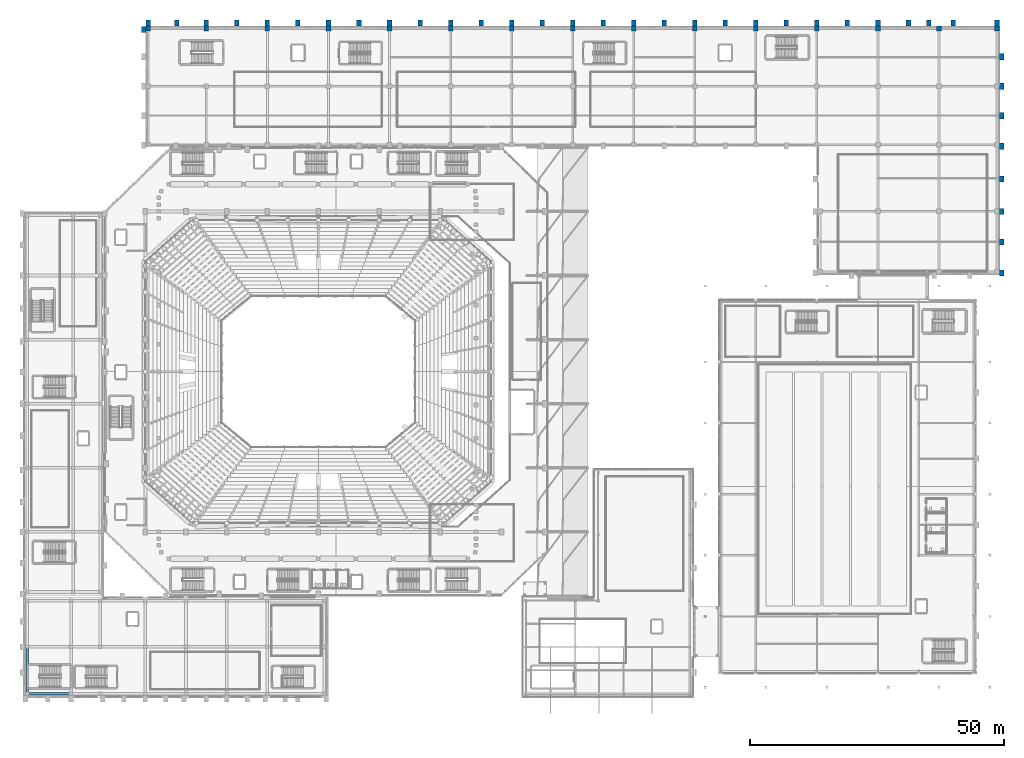
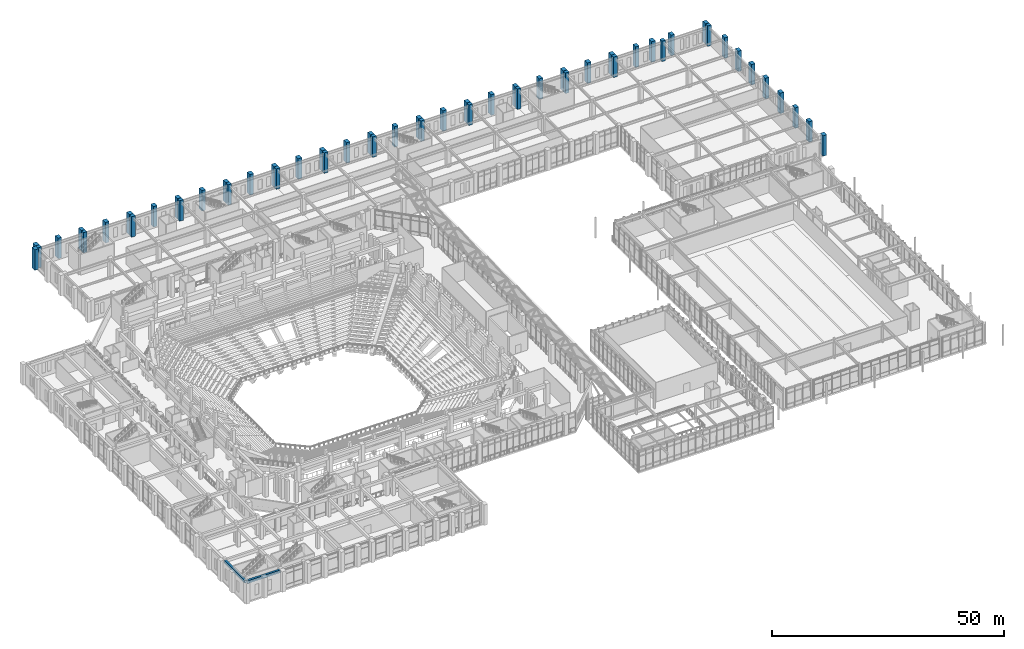
# One storey, part 17 of 159: 53 columns, 2 beams.
"""IFC4 building model written with IfcOpenShell, lengths in metres."""

from ifc_helpers import new_model, si_unit, derived_unit, direction, frame, origin, origin_2d, place, context, subcontext, project, spatial, rectangle, extrude, material, material_profile, profile_set, type_object, element, save


model = new_model("IFC4")

# Units and contexts
model_context = context("Model", 3, precision=1e-05, world=origin(), true_north=direction((0.0, 1.0)))
body_context = subcontext(model_context, "Body", "Model", "MODEL_VIEW")
ifc_project = project(units=[si_unit("LENGTHUNIT", "METRE"), si_unit("AREAUNIT", "SQUARE_METRE"), si_unit("VOLUMEUNIT", "CUBIC_METRE"), si_unit("PLANEANGLEUNIT", "RADIAN"), si_unit("MASSUNIT", "GRAM", prefix="KILO"), derived_unit("THERMALTRANSMITTANCEUNIT", [(si_unit("MASSUNIT", "GRAM", prefix="KILO"), 1), (si_unit("TIMEUNIT", "SECOND"), -3), (si_unit("THERMODYNAMICTEMPERATUREUNIT", "KELVIN"), -1)])], contexts=[model_context])

# Site, building, storey
site_placement = place(None, origin())
site = spatial("IfcSite", under=ifc_project, at=site_placement, CompositionType="ELEMENT")
building_placement = place(site_placement, origin())
building = spatial("IfcBuilding", under=site, at=building_placement, Name="Valcora Ridge Arena", CompositionType="ELEMENT")
storey_placement = place(building_placement, frame((0.0, 0.0, 6.0)))
storey = spatial("IfcBuildingStorey", under=building, at=storey_placement, Name="L01", CompositionType="ELEMENT", Elevation=6.0)

# Columns
ifc_material_1 = material(Name="Bush-hammered Andean travertine architectural concrete C45/55", Category="masonry")
ifc_material_profile_1 = material_profile(ifc_material_1, rectangle(XDim=0.89990234375, YDim=1.199951171875, at=origin_2d()), Name="RC 900x1200")
ifc_profile_set_1 = profile_set([ifc_material_profile_1], Name="Bush-hammered Andean travertine architectural concrete C45/55")
column_type_1 = type_object("IfcColumnType", Name="TY-COLUMN-C-BUTT-1200", PredefinedType="PILASTER", material=ifc_profile_set_1)
for number, where, z_axis, x_axis, name in (
    (1, (24.60009765625, 132.6201171875, 0.0), (0.0, 0.0, 1.0), (1.0, 0.0, 0.0), "C-BUTT-1200 COL-C-BUTT-1200-0133"),
    (2, (30.199951171875, 132.6201171875, 0.0), (0.0, 0.0, 1.0), (1.0, 0.0, 0.0), "C-BUTT-1200 COL-C-BUTT-1200-0137"),
    (3, (42.0, 132.6201171875, 0.0), (0.0, 0.0, 1.0), (1.0, 0.0, 0.0), "C-BUTT-1200 COL-C-BUTT-1200-0141"),
    (4, (54.0, 132.6201171875, 0.0), (0.0, 0.0, 1.0), (1.0, 0.0, 0.0), "C-BUTT-1200 COL-C-BUTT-1200-0145"),
    (5, (66.0, 132.6201171875, 0.0), (0.0, 0.0, 1.0), (1.0, 0.0, 0.0), "C-BUTT-1200 COL-C-BUTT-1200-0149"),
    (6, (78.0, 132.6201171875, 0.0), (0.0, 0.0, 1.0), (1.0, 0.0, 0.0), "C-BUTT-1200 COL-C-BUTT-1200-0153"),
    (7, (90.0, 132.6201171875, 0.0), (0.0, 0.0, 1.0), (1.0, 0.0, 0.0), "C-BUTT-1200 COL-C-BUTT-1200-0157"),
    (8, (102.0, 132.6201171875, 0.0), (0.0, 0.0, 1.0), (1.0, 0.0, 0.0), "C-BUTT-1200 COL-C-BUTT-1200-0161"),
    (9, (114.0, 132.6201171875, 0.0), (0.0, 0.0, 1.0), (1.0, 0.0, 0.0), "C-BUTT-1200 COL-C-BUTT-1200-0165"),
    (10, (126.0, 132.6201171875, 0.0), (0.0, 0.0, 1.0), (1.0, 0.0, 0.0), "C-BUTT-1200 COL-C-BUTT-1200-0169"),
    (11, (138.0, 132.6201171875, 0.0), (0.0, 0.0, 1.0), (1.0, 0.0, 0.0), "C-BUTT-1200 COL-C-BUTT-1200-0173"),
    (12, (150.0, 132.6201171875, 0.0), (0.0, 0.0, 1.0), (1.0, 0.0, 0.0), "C-BUTT-1200 COL-C-BUTT-1200-0177"),
    (13, (162.0, 132.6201171875, 0.0), (0.0, 0.0, 1.0), (1.0, 0.0, 0.0), "C-BUTT-1200 COL-C-BUTT-1200-0181"),
    (14, (174.0, 132.6201171875, 0.0), (0.0, 0.0, 1.0), (1.0, 0.0, 0.0), "C-BUTT-1200 COL-C-BUTT-1200-0185"),
    (15, (182.800048828125, 132.6201171875, 0.0), (0.0, 0.0, 1.0), (1.0, 0.0, 0.0), "C-BUTT-1200 COL-C-BUTT-1200-0189"),
    (16, (191.39990234375, 132.6201171875, 0.0), (0.0, 0.0, 1.0), (1.0, 0.0, 0.0), "C-BUTT-1200 COL-C-BUTT-1200-0193"),
    (17, (192.320068359375, 83.5, 0.0), (0.0, 0.0, 1.0), (1.0, 0.0, 0.0), "C-BUTT-1200 COL-C-BUTT-1200-0197"),
    (18, (192.320068359375, 89.60009765625, 0.0), (0.0, 0.0, 1.0), (1.0, 0.0, 0.0), "C-BUTT-1200 COL-C-BUTT-1200-0201"),
    (19, (192.320068359375, 95.60009765625, 0.0), (0.0, 0.0, 1.0), (1.0, 0.0, 0.0), "C-BUTT-1200 COL-C-BUTT-1200-0205"),
    (20, (192.320068359375, 102.0, 0.0), (0.0, 0.0, 1.0), (1.0, 0.0, 0.0), "C-BUTT-1200 COL-C-BUTT-1200-0209"),
    (21, (192.320068359375, 108.39990234375, 0.0), (0.0, 0.0, 1.0), (1.0, 0.0, 0.0), "C-BUTT-1200 COL-C-BUTT-1200-0213"),
    (22, (192.320068359375, 114.39990234375, 0.0), (0.0, 0.0, 1.0), (1.0, 0.0, 0.0), "C-BUTT-1200 COL-C-BUTT-1200-0217"),
    (23, (192.320068359375, 120.199951171875, 0.0), (0.0, 0.0, 1.0), (1.0, 0.0, 0.0), "C-BUTT-1200 COL-C-BUTT-1200-0221"),
    (24, (192.320068359375, 126.0, 0.0), (0.0, 0.0, 1.0), (1.0, 0.0, 0.0), "C-BUTT-1200 COL-C-BUTT-1200-0225"),
    (25, (23.679931640625, 131.35009765625, 0.0), (0.0, 0.0, 1.0), (1.0, 0.0, 0.0), "C-BUTT-1200 COL-C-BUTT-1200-0245"),
    (26, (36.0, 132.6201171875, 0.0), (0.0, 0.0, 1.0), (1.0, 0.0, 0.0), "C-BUTT-1200 COL-C-BUTT-1200-0277"),
    (27, (48.0, 132.6201171875, 0.0), (0.0, 0.0, 1.0), (1.0, 0.0, 0.0), "C-BUTT-1200 COL-C-BUTT-1200-0281"),
    (28, (60.0, 132.6201171875, 0.0), (0.0, 0.0, 1.0), (1.0, 0.0, 0.0), "C-BUTT-1200 COL-C-BUTT-1200-0285"),
    (29, (72.0, 132.6201171875, 0.0), (0.0, 0.0, 1.0), (1.0, 0.0, 0.0), "C-BUTT-1200 COL-C-BUTT-1200-0289"),
    (30, (84.0, 132.6201171875, 0.0), (0.0, 0.0, 1.0), (1.0, 0.0, 0.0), "C-BUTT-1200 COL-C-BUTT-1200-0293"),
    (31, (96.0, 132.6201171875, 0.0), (0.0, 0.0, 1.0), (1.0, 0.0, 0.0), "C-BUTT-1200 COL-C-BUTT-1200-0297"),
    (32, (108.0, 132.6201171875, 0.0), (0.0, 0.0, 1.0), (1.0, 0.0, 0.0), "C-BUTT-1200 COL-C-BUTT-1200-0301"),
    (33, (120.0, 132.6201171875, 0.0), (0.0, 0.0, 1.0), (1.0, 0.0, 0.0), "C-BUTT-1200 COL-C-BUTT-1200-0305"),
    (34, (132.0, 132.6201171875, 0.0), (0.0, 0.0, 1.0), (1.0, 0.0, 0.0), "C-BUTT-1200 COL-C-BUTT-1200-0309"),
    (35, (144.0, 132.6201171875, 0.0), (0.0, 0.0, 1.0), (1.0, 0.0, 0.0), "C-BUTT-1200 COL-C-BUTT-1200-0313"),
    (36, (156.0, 132.6201171875, 0.0), (0.0, 0.0, 1.0), (1.0, 0.0, 0.0), "C-BUTT-1200 COL-C-BUTT-1200-0317"),
    (37, (168.0, 132.6201171875, 0.0), (0.0, 0.0, 1.0), (1.0, 0.0, 0.0), "C-BUTT-1200 COL-C-BUTT-1200-0321"),
    (38, (178.0, 132.6201171875, 0.0), (0.0, 0.0, 1.0), (1.0, 0.0, 0.0), "C-BUTT-1200 COL-C-BUTT-1200-0325"),
):
    element("IfcColumn", number, at=place(storey_placement, frame(where, z_axis=z_axis, x_axis=x_axis)), inside=storey, type_object=column_type_1, Name=name, PredefinedType="PILASTER", context=body_context, shape_type="SweptSolid", body=[
        extrude(rectangle(XDim=0.89990234375, YDim=1.199951171875, at=origin_2d()), origin(), (0.0, 0.0, 1.0), 5.39990234375),
    ])
ifc_material_2 = material(Name="Concrete C40/50", Category="concrete")
ifc_material_profile_2 = material_profile(ifc_material_2, rectangle(XDim=0.89990234375, YDim=0.89990234375, at=origin_2d()), Name="RC 900x900")
ifc_profile_set_2 = profile_set([ifc_material_profile_2], Name="Concrete C40/50")
column_type_2 = type_object("IfcColumnType", Name="TY-COLUMN-C-RC900B", PredefinedType="COLUMN", material=ifc_profile_set_2)
for number, where, z_axis, x_axis, name in (
    (39, (24.60009765625, 131.550048828125, 0.0), (0.0, 0.0, 1.0), (1.0, 0.0, 0.0), "C-RC900B COL-C-RC900B-0009"),
    (40, (36.0, 131.550048828125, 0.0), (0.0, 0.0, 1.0), (1.0, 0.0, 0.0), "C-RC900B COL-C-RC900B-0018"),
    (41, (48.0, 131.550048828125, 0.0), (0.0, 0.0, 1.0), (1.0, 0.0, 0.0), "C-RC900B COL-C-RC900B-0027"),
    (42, (60.0, 131.550048828125, 0.0), (0.0, 0.0, 1.0), (1.0, 0.0, 0.0), "C-RC900B COL-C-RC900B-0036"),
    (43, (72.0, 131.550048828125, 0.0), (0.0, 0.0, 1.0), (1.0, 0.0, 0.0), "C-RC900B COL-C-RC900B-0045"),
    (44, (84.0, 131.550048828125, 0.0), (0.0, 0.0, 1.0), (1.0, 0.0, 0.0), "C-RC900B COL-C-RC900B-0054"),
    (45, (96.0, 131.550048828125, 0.0), (0.0, 0.0, 1.0), (1.0, 0.0, 0.0), "C-RC900B COL-C-RC900B-0063"),
    (46, (108.0, 131.550048828125, 0.0), (0.0, 0.0, 1.0), (1.0, 0.0, 0.0), "C-RC900B COL-C-RC900B-0072"),
    (47, (120.0, 131.550048828125, 0.0), (0.0, 0.0, 1.0), (1.0, 0.0, 0.0), "C-RC900B COL-C-RC900B-0081"),
    (48, (132.0, 131.550048828125, 0.0), (0.0, 0.0, 1.0), (1.0, 0.0, 0.0), "C-RC900B COL-C-RC900B-0090"),
    (49, (144.0, 131.550048828125, 0.0), (0.0, 0.0, 1.0), (1.0, 0.0, 0.0), "C-RC900B COL-C-RC900B-0099"),
    (50, (156.0, 131.550048828125, 0.0), (0.0, 0.0, 1.0), (1.0, 0.0, 0.0), "C-RC900B COL-C-RC900B-0108"),
    (51, (168.0, 131.550048828125, 0.0), (0.0, 0.0, 1.0), (1.0, 0.0, 0.0), "C-RC900B COL-C-RC900B-0117"),
    (52, (180.0, 131.550048828125, 0.0), (0.0, 0.0, 1.0), (1.0, 0.0, 0.0), "C-RC900B COL-C-RC900B-0126"),
    (53, (191.39990234375, 131.550048828125, 0.0), (0.0, 0.0, 1.0), (1.0, 0.0, 0.0), "C-RC900B COL-C-RC900B-0135"),
):
    element("IfcColumn", number, at=place(storey_placement, frame(where, z_axis=z_axis, x_axis=x_axis)), inside=storey, type_object=column_type_2, Name=name, PredefinedType="COLUMN", context=body_context, shape_type="SweptSolid", body=[
        extrude(rectangle(XDim=0.89990234375, YDim=0.89990234375, at=origin_2d()), origin(), (0.0, 0.0, 1.0), 5.39990234375),
    ])

# Beams
ifc_material_profile_3 = material_profile(ifc_material_2, rectangle(XDim=0.5, YDim=0.75, at=origin_2d()), Name="RC 500x750")
ifc_profile_set_3 = profile_set([ifc_material_profile_3], Name="Concrete C40/50")
beam_type_1 = type_object("IfcBeamType", Name="TY-BEAM-B-RC500-Y", PredefinedType="BEAM", material=ifc_profile_set_3)
beam_1_placement = place(storey_placement, frame((0.800048828125, 1.0, 4.6650390625), z_axis=(0.0, 1.0, 0.0), x_axis=(-1.0, 0.0, 0.0)))
element("IfcBeam", 54, at=beam_1_placement, inside=storey, type_object=beam_type_1, Name="B-RC500-Y BEM-B-RC500-Y-0034", PredefinedType="BEAM", context=body_context, shape_type="SweptSolid", body=[
    extrude(rectangle(XDim=0.5, YDim=0.75, at=origin_2d()), origin(), (0.0, 0.0, 1.0), 8.800048828125),
])
ifc_material_profile_4 = material_profile(ifc_material_2, rectangle(XDim=0.5, YDim=0.75, at=origin_2d()), Name="RC 500x750")
ifc_profile_set_4 = profile_set([ifc_material_profile_4], Name="Concrete C40/50")
beam_type_2 = type_object("IfcBeamType", Name="TY-BEAM-EB-RC500", PredefinedType="BEAM", material=ifc_profile_set_4)
beam_2_placement = place(storey_placement, frame((1.0, 0.800048828125, 4.6650390625), z_axis=(1.0, 0.0, 0.0), x_axis=(0.0, 1.0, 0.0)))
element("IfcBeam", 55, at=beam_2_placement, inside=storey, type_object=beam_type_2, Name="EB-RC500 BEM-EB-RC500-0010", PredefinedType="BEAM", context=body_context, shape_type="SweptSolid", body=[
    extrude(rectangle(XDim=0.5, YDim=0.75, at=origin_2d()), origin(), (0.0, 0.0, 1.0), 8.199951171875),
])

save(model, "model.ifc")
